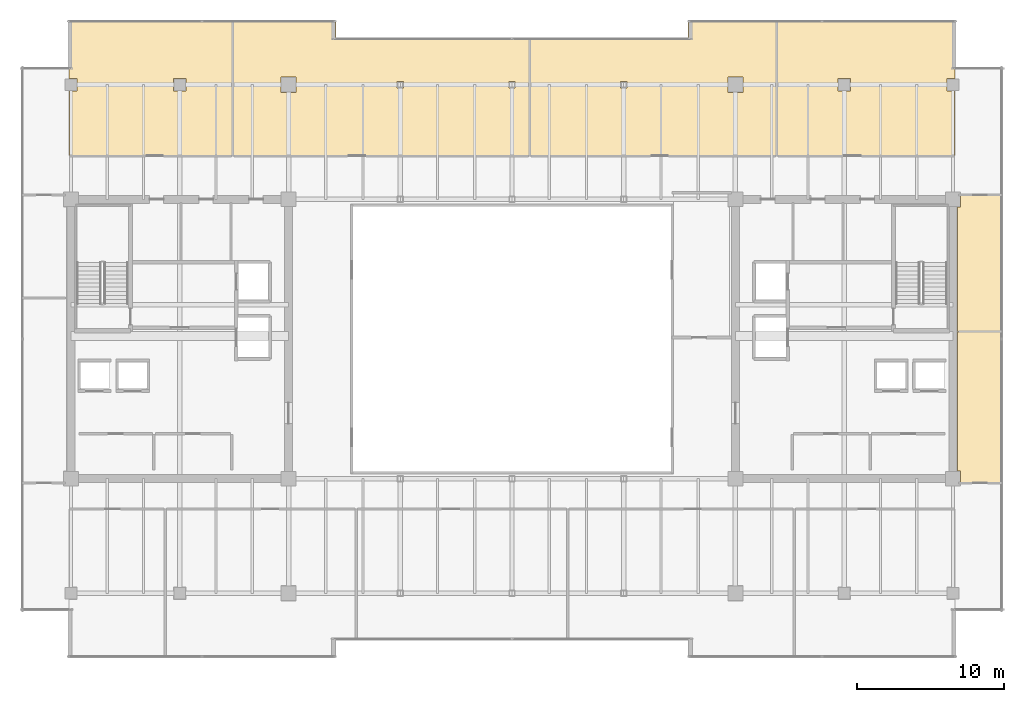
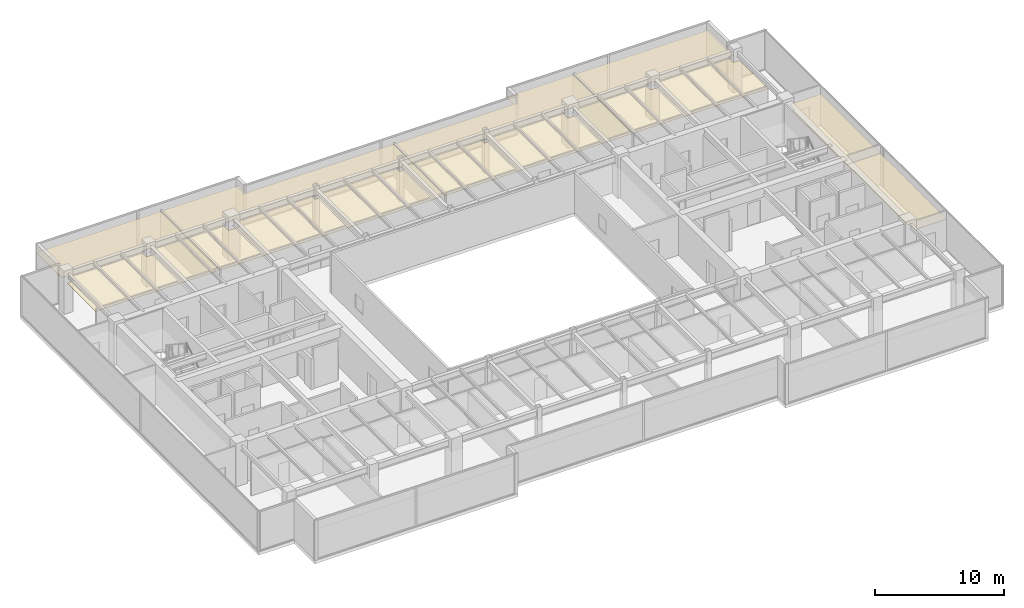
# One storey, part 35 of 35: 6 coverings.
"""IFC4 building model written with IfcOpenShell, lengths in metres."""

import ifcopenshell
import ifcopenshell.guid

model = None  # the IFC model being written
_history = None  # IfcOwnerHistory: only IFC2X3 demands one
_inside = {}  # id of a spatial element -> (the spatial element, [elements in it])
_under = {}  # id of a project, library or spatial element -> (it, [spatial elements below it])
_declared = {}  # id of a project -> (the project, [libraries it declares])
_typed = {}  # id of a type object -> (the type object, [elements of that type])
_made_of = {}  # id of a material, layer set ... -> (it, [elements and type objects made of it])


def new_model(schema):
    """Start an empty IFC model of exactly this schema.

    Asked for "IFC4X3", IfcOpenShell would pick the latest addendum, in which some entities
    have other attributes; the version numbers below select the first issue.
    IFC2X3 requires an IfcOwnerHistory on every rooted entity: one is made here for all.
    """
    global model, _history
    if schema == "IFC4X3":
        model = ifcopenshell.file(schema_version=(4, 3, 0, 0))
    else:
        model = ifcopenshell.file(schema=schema)
    _inside.clear()
    _under.clear()
    _declared.clear()
    _typed.clear()
    _made_of.clear()
    _history = None
    if model.schema == "IFC2X3":
        org = make("IfcOrganization", Name="unknown")
        user = make(
            "IfcPersonAndOrganization",
            ThePerson=make("IfcPerson", FamilyName="unknown"),
            TheOrganization=org,
        )
        app = make(
            "IfcApplication",
            ApplicationDeveloper=org,
            Version="unknown",
            ApplicationFullName="unknown",
            ApplicationIdentifier="unknown",
        )
        _history = make(
            "IfcOwnerHistory",
            OwningUser=user,
            OwningApplication=app,
            ChangeAction="ADDED",
            CreationDate=0,
        )
    return model


def make(cls, **values):
    """One entity of the class cls with the attributes given. An attribute that is None is left unset."""
    return model.create_entity(
        cls, **{name: value for name, value in values.items() if value is not None}
    )


def rooted(cls, **values):
    """An entity with a GlobalId (a new one), such as an element, a storey or a relation."""
    return make(cls, GlobalId=ifcopenshell.guid.new(), OwnerHistory=_history, **values)


def si_unit(unit_type, name, prefix=None):
    """IfcSIUnit, for example si_unit("LENGTHUNIT", "METRE", prefix="MILLI")."""
    return make("IfcSIUnit", UnitType=unit_type, Prefix=prefix, Name=name)


def assignment(units):
    """IfcUnitAssignment: the units of a project."""
    return None if units is None else make("IfcUnitAssignment", Units=units)


def point(xyz):
    """IfcCartesianPoint."""
    return None if xyz is None else make("IfcCartesianPoint", Coordinates=xyz)


def direction(xyz):
    """IfcDirection."""
    return None if xyz is None else make("IfcDirection", DirectionRatios=xyz)


def frame(location, z_axis=None, x_axis=None):
    """IfcAxis2Placement3D, a coordinate frame: its origin and axes. An axis left out is left unset."""
    return make(
        "IfcAxis2Placement3D",
        Location=point(location),
        Axis=direction(z_axis),
        RefDirection=direction(x_axis),
    )


def origin():
    """The frame at (0, 0, 0) with its axes left unset."""
    return frame((0.0, 0.0, 0.0))


def place(relative_to, where):
    """IfcLocalPlacement: puts the frame where relative to a parent placement (None: the world)."""
    return make(
        "IfcLocalPlacement", PlacementRelTo=relative_to, RelativePlacement=where
    )


def context(
    kind, dimensions, precision=None, world=None, true_north=None, identifier=None
):
    """IfcGeometricRepresentationContext, for example the 3D "Model" context."""
    return make(
        "IfcGeometricRepresentationContext",
        ContextIdentifier=identifier,
        ContextType=kind,
        CoordinateSpaceDimension=dimensions,
        Precision=precision,
        WorldCoordinateSystem=world,
        TrueNorth=true_north,
    )


def subcontext(parent, identifier, kind, view, scale=None):
    """IfcGeometricRepresentationSubContext, for example "Body" below "Model"."""
    return make(
        "IfcGeometricRepresentationSubContext",
        ContextIdentifier=identifier,
        ContextType=kind,
        ParentContext=parent,
        TargetScale=scale,
        TargetView=view,
    )


def project(units=None, contexts=None):
    """IfcProject with its units and contexts."""
    return rooted(
        "IfcProject",
        Name="project",
        RepresentationContexts=contexts,
        UnitsInContext=assignment(units),
    )


def spatial(cls, under=None, at=None, **own):
    """A site, building, storey or space (cls), placed at a placement, below another one or the project."""
    s = rooted(cls, ObjectPlacement=at, **own)
    if under is not None:
        _under.setdefault(under.id(), (under, []))[1].append(s)
    return s


def polyline(points):
    """IfcPolyline through the points."""
    return make("IfcPolyline", Points=[point(p) for p in points])


def outline(outer, holes=None, kind="AREA"):
    """IfcArbitraryClosedProfileDef: a profile drawn as a closed curve; with holes, ...WithVoids."""
    if holes is None:
        return make("IfcArbitraryClosedProfileDef", ProfileType=kind, OuterCurve=outer)
    return make(
        "IfcArbitraryProfileDefWithVoids",
        ProfileType=kind,
        OuterCurve=outer,
        InnerCurves=holes,
    )


def extrude(swept, where, along, depth):
    """IfcExtrudedAreaSolid: the profile swept, set in the frame where, extruded along a direction by depth."""
    return make(
        "IfcExtrudedAreaSolid",
        SweptArea=swept,
        Position=where,
        ExtrudedDirection=direction(along),
        Depth=depth,
    )


def shape(context_of_items, identifier, shape_type, items):
    """IfcShapeRepresentation: the items that make up one representation, for example the "Body"."""
    return make(
        "IfcShapeRepresentation",
        ContextOfItems=context_of_items,
        RepresentationIdentifier=identifier,
        RepresentationType=shape_type,
        Items=items,
    )


def material(Name=None, Category=None):
    """IfcMaterial."""
    return make("IfcMaterial", Name=Name, Category=Category)


def layer(
    of_material, thickness, ventilated=None, Name=None, Category=None, Priority=None
):
    """IfcMaterialLayer: one layer of a wall or slab, of a material (None: an air gap)."""
    return make(
        "IfcMaterialLayer",
        Material=of_material,
        LayerThickness=thickness,
        IsVentilated=ventilated,
        Name=Name,
        Category=Category,
        Priority=Priority,
    )


def layer_set(layers, Name=None):
    """IfcMaterialLayerSet."""
    return make("IfcMaterialLayerSet", MaterialLayers=layers, LayerSetName=Name)


def made_of(thing, what):
    """Note that an element or type object is made of a material, layer set ...; save() writes the relation."""
    if what is not None:
        _made_of.setdefault(what.id(), (what, []))[1].append(thing)
    return thing


def type_object(cls, material=None, **own):
    """A type object (cls), such as IfcWallType, which elements share."""
    return made_of(rooted(cls, **own), material)


def element(
    cls,
    number,
    at=None,
    inside=None,
    cuts=None,
    type_object=None,
    material=None,
    context=None,
    identifier="Body",
    shape_type=None,
    held_by="IfcProductDefinitionShape",
    body=None,
    shapes=None,
    **own,
):
    """One element of the class cls, such as IfcWall. Its Tag is "e" and its number.

    at: its placement. inside: the storey or other place that contains it. cuts: it is an
    opening in that element (IfcRelVoidsElement). A single representation is given by context,
    identifier, shape_type and body (its items); several are given by shapes. held_by: the class
    of the entity that holds the representations. save() writes the other relations.
    """
    e = rooted(cls, Tag="e%d" % number, ObjectPlacement=at, **own)
    if body is not None:
        shapes = [shape(context, identifier, shape_type, body)]
    if shapes is not None:
        e.Representation = make(held_by, Representations=shapes)
    if inside is not None:
        _inside.setdefault(inside.id(), (inside, []))[1].append(e)
    if cuts is not None:
        rooted(
            "IfcRelVoidsElement", RelatingBuildingElement=cuts, RelatedOpeningElement=e
        )
    if type_object is not None:
        _typed.setdefault(type_object.id(), (type_object, []))[1].append(e)
    return made_of(e, material)


def aggregate(whole, parts):
    """IfcRelAggregates: a whole, such as a stair, and the parts it consists of."""
    return rooted("IfcRelAggregates", RelatingObject=whole, RelatedObjects=parts)


def save(model, path):
    """Write the relations noted so far, then the file.

    IfcRelAggregates (storeys below a building ...), IfcRelContainedInSpatialStructure (elements
    in a storey), IfcRelDefinesByType, IfcRelAssociatesMaterial and IfcRelDeclares: one each for
    every whole, place, type object, material and project.
    """
    for whole, parts in _under.values():
        aggregate(whole, parts)
    for where, things in _inside.values():
        rooted(
            "IfcRelContainedInSpatialStructure",
            RelatedElements=things,
            RelatingStructure=where,
        )
    for kind, things in _typed.values():
        rooted("IfcRelDefinesByType", RelatedObjects=things, RelatingType=kind)
    for what, things in _made_of.values():
        rooted("IfcRelAssociatesMaterial", RelatedObjects=things, RelatingMaterial=what)
    for by, libraries in _declared.values():
        rooted("IfcRelDeclares", RelatingContext=by, RelatedDefinitions=libraries)
    model.write(path)


model = new_model("IFC4")

# Units and contexts
model_context = context("Model", 3, precision=1e-05, world=origin(), true_north=direction((0.0, 1.0)))
body_context = subcontext(model_context, "Body", "Model", "MODEL_VIEW")
ifc_project = project(units=[si_unit("LENGTHUNIT", "METRE"), si_unit("AREAUNIT", "SQUARE_METRE"), si_unit("VOLUMEUNIT", "CUBIC_METRE"), si_unit("PLANEANGLEUNIT", "RADIAN"), si_unit("MASSUNIT", "GRAM", prefix="KILO")], contexts=[model_context])

# Site, building, storey
site_placement = place(None, origin())
site = spatial("IfcSite", under=ifc_project, at=site_placement, CompositionType="ELEMENT")
building_placement = place(site_placement, origin())
building = spatial("IfcBuilding", under=site, at=building_placement, Name="Haelvirn Gate Laboratories", CompositionType="ELEMENT")
storey_placement = place(building_placement, frame((0.0, 0.0, 221.89990234375)))
storey = spatial("IfcBuildingStorey", under=building, at=storey_placement, Name="L53", CompositionType="ELEMENT", Elevation=221.89990234375)

# Coverings
ifc_material = material(Name="Washable cleanroom gasketed aluminium ceiling", Category="aluminium")
ifc_layer = layer(ifc_material, 0.050048828125, Name="COV-CEIL-CLN")
ifc_layer_set = layer_set([ifc_layer], Name="Washable cleanroom gasketed aluminium ceiling")
covering_type = type_object("IfcCoveringType", Name="COV-CEIL-CLN", PredefinedType="CEILING", material=ifc_layer_set)
covering_1_placement = place(storey_placement, frame((0.0, 0.0, 2.8701171875)))
element("IfcCovering", 1, at=covering_1_placement, inside=storey, type_object=covering_type, Name="L53 Laboratory Acoustic Ceiling CEIL-SP-L53-N-01", PredefinedType="CEILING", context=body_context, shape_type="SweptSolid", body=[
    extrude(outline(polyline([(7.25, 41.179931640625), (7.820068359375, 41.179931640625), (7.820068359375, 42.02001953125), (7.25, 42.02001953125), (7.25, 45.949951171875), (18.3798828125, 45.949951171875), (18.3798828125, 36.77001953125), (7.25, 36.77001953125), (7.25, 41.179931640625)]), holes=[polyline([(14.3798828125, 42.02001953125), (14.3798828125, 41.179931640625), (15.219970703125, 41.179931640625), (15.219970703125, 42.02001953125), (14.3798828125, 42.02001953125)])]), origin(), (0.0, 0.0, 1.0), 0.050048828125),
])
covering_2_placement = place(storey_placement, frame((0.0, 0.0, 2.8701171875)))
element("IfcCovering", 2, at=covering_2_placement, inside=storey, type_object=covering_type, Name="L53 Laboratory Acoustic Ceiling CEIL-SP-L53-N-02", PredefinedType="CEILING", context=body_context, shape_type="SweptSolid", body=[
    extrude(outline(polyline([(18.419921875, 36.77001953125), (18.419921875, 45.949951171875), (25.419921875, 45.949951171875), (25.419921875, 44.820068359375), (38.580078125, 44.820068359375), (38.580078125, 36.77001953125), (18.419921875, 36.77001953125)]), holes=[polyline([(21.679931640625, 41.080078125), (22.719970703125, 41.080078125), (22.719970703125, 42.1201171875), (21.679931640625, 42.1201171875), (21.679931640625, 41.080078125)]), polyline([(29.580078125, 41.820068359375), (29.580078125, 41.3798828125), (30.02001953125, 41.3798828125), (30.02001953125, 41.820068359375), (29.580078125, 41.820068359375)]), polyline([(37.6201171875, 41.820068359375), (37.179931640625, 41.820068359375), (37.179931640625, 41.3798828125), (37.6201171875, 41.3798828125), (37.6201171875, 41.820068359375)])]), origin(), (0.0, 0.0, 1.0), 0.050048828125),
])
covering_3_placement = place(storey_placement, frame((0.0, 0.0, 2.8701171875)))
element("IfcCovering", 3, at=covering_3_placement, inside=storey, type_object=covering_type, Name="L53 Laboratory Acoustic Ceiling CEIL-SP-L53-N-03", PredefinedType="CEILING", context=body_context, shape_type="SweptSolid", body=[
    extrude(outline(polyline([(49.3798828125, 45.949951171875), (55.3798828125, 45.949951171875), (55.3798828125, 36.77001953125), (38.6201171875, 36.77001953125), (38.6201171875, 44.820068359375), (49.3798828125, 44.820068359375), (49.3798828125, 45.949951171875)]), holes=[polyline([(52.080078125, 42.1201171875), (52.080078125, 41.080078125), (53.1201171875, 41.080078125), (53.1201171875, 42.1201171875), (52.080078125, 42.1201171875)]), polyline([(45.219970703125, 41.820068359375), (44.780029296875, 41.820068359375), (44.780029296875, 41.3798828125), (45.219970703125, 41.3798828125), (45.219970703125, 41.820068359375)])]), origin(), (0.0, 0.0, 1.0), 0.050048828125),
])
covering_4_placement = place(storey_placement, frame((0.0, 0.0, 2.8701171875)))
element("IfcCovering", 4, at=covering_4_placement, inside=storey, type_object=covering_type, Name="L53 Laboratory Acoustic Ceiling CEIL-SP-L53-N-04", PredefinedType="CEILING", context=body_context, shape_type="SweptSolid", body=[
    extrude(outline(polyline([(67.550048828125, 36.77001953125), (55.419921875, 36.77001953125), (55.419921875, 45.949951171875), (67.550048828125, 45.949951171875), (67.550048828125, 42.02001953125), (66.97998046875, 42.02001953125), (66.97998046875, 41.179931640625), (67.550048828125, 41.179931640625), (67.550048828125, 36.77001953125)]), holes=[polyline([(59.580078125, 42.02001953125), (59.580078125, 41.179931640625), (60.419921875, 41.179931640625), (60.419921875, 42.02001953125), (59.580078125, 42.02001953125)])]), origin(), (0.0, 0.0, 1.0), 0.050048828125),
])
covering_5_placement = place(storey_placement, frame((0.0, 0.0, 2.8701171875)))
element("IfcCovering", 5, at=covering_5_placement, inside=storey, type_object=covering_type, Name="L53 Laboratory Acoustic Ceiling CEIL-SP-L53-EZ3-S", PredefinedType="CEILING", context=body_context, shape_type="SweptSolid", body=[
    extrude(outline(polyline([(70.75, 24.7900390625), (70.75, 14.52490234375), (67.919921875, 14.52490234375), (67.919921875, 15.320068359375), (67.719970703125, 15.320068359375), (67.719970703125, 24.7900390625), (70.75, 24.7900390625)])), origin(), (0.0, 0.0, 1.0), 0.050048828125),
])
covering_6_placement = place(storey_placement, frame((0.0, 0.0, 2.8701171875)))
element("IfcCovering", 6, at=covering_6_placement, inside=storey, type_object=covering_type, Name="L53 Laboratory Acoustic Ceiling CEIL-SP-L53-EZ3-N", PredefinedType="CEILING", context=body_context, shape_type="SweptSolid", body=[
    extrude(outline(polyline([(70.75, 34.074951171875), (70.75, 24.81005859375), (67.719970703125, 24.81005859375), (67.719970703125, 33.280029296875), (67.919921875, 33.280029296875), (67.919921875, 34.074951171875), (70.75, 34.074951171875)])), origin(), (0.0, 0.0, 1.0), 0.050048828125),
])

save(model, "model.ifc")
